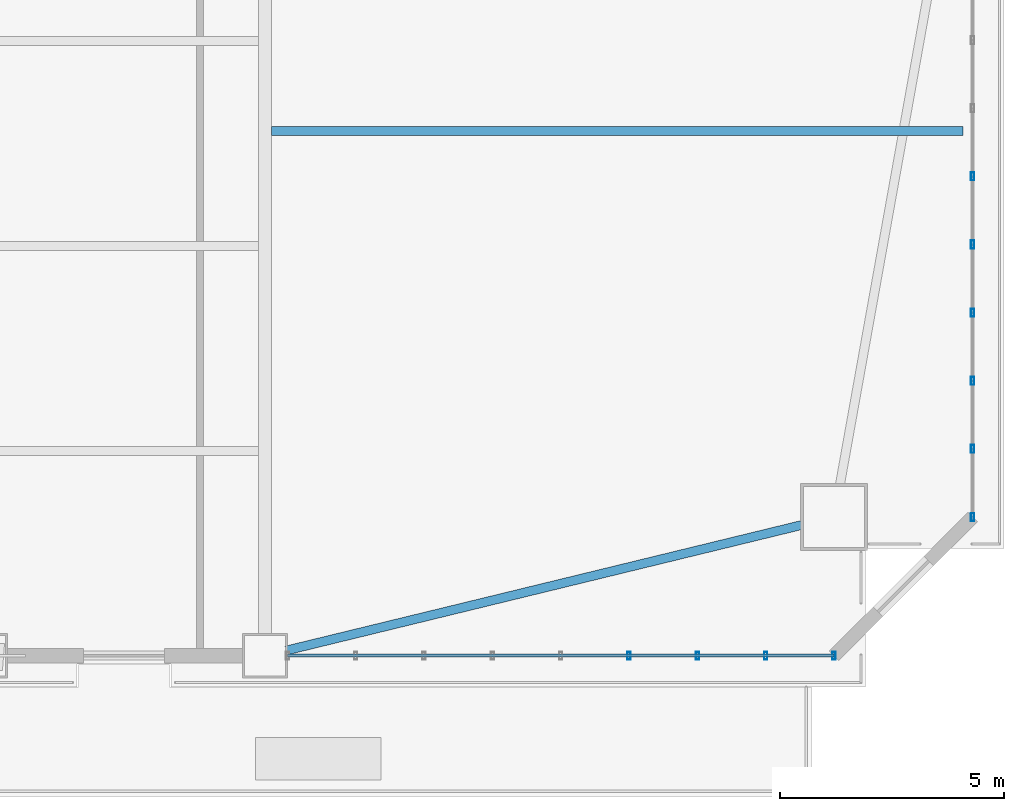
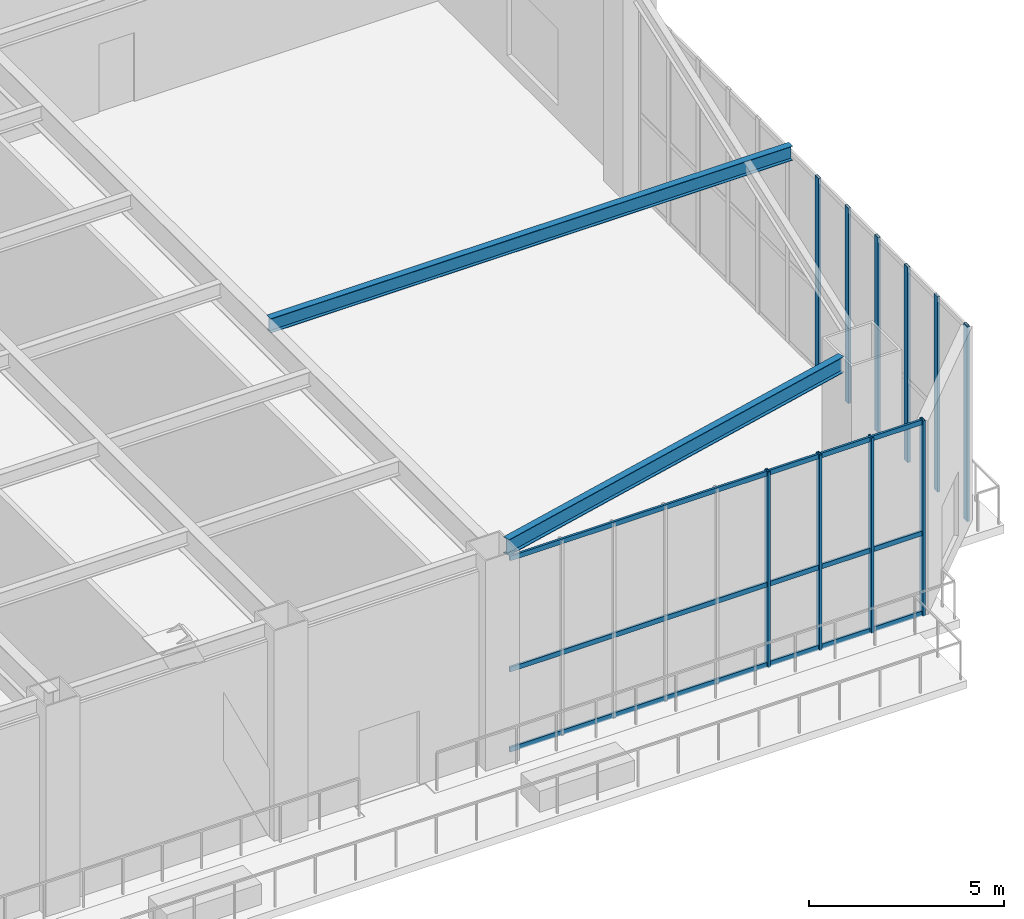
# One storey, part 8 of 22: 13 members, 2 beams, 2 elements without a shape of their own.
"""IFC4 building model written with IfcOpenShell, lengths in metres."""

from ifc_helpers import new_model, si_unit, direction, frame, origin, origin_2d, place, context, subcontext, project, spatial, hollow_rectangle, i_section, extrude, source, transform, mapped, material, layer, layer_set, material_profile, profile_set, type_object, element, aggregate, save


model = new_model("IFC4")

# Units and contexts
model_context = context("Model", 3, precision=1e-05, world=origin(), true_north=direction((0.0, 1.0)))
body_context = subcontext(model_context, "Body", "Model", "MODEL_VIEW")
ifc_project = project(units=[si_unit("LENGTHUNIT", "METRE"), si_unit("AREAUNIT", "SQUARE_METRE"), si_unit("VOLUMEUNIT", "CUBIC_METRE"), si_unit("PLANEANGLEUNIT", "RADIAN"), si_unit("MASSUNIT", "GRAM", prefix="KILO")], contexts=[model_context])

# Site, building, storey
site_placement = place(None, origin())
site = spatial("IfcSite", under=ifc_project, at=site_placement, CompositionType="ELEMENT")
building_placement = place(site_placement, origin())
building = spatial("IfcBuilding", under=site, at=building_placement, Name="Giltprow Tower", CompositionType="ELEMENT")
storey_placement = place(building_placement, frame((0.0, 0.0, 72.800048828125)))
storey = spatial("IfcBuildingStorey", under=building, at=storey_placement, Name="L18", CompositionType="ELEMENT", Elevation=72.800048828125)

# Beams
ifc_material_1 = material(Name="Structural steel Q355B", Category="steel")
ifc_material_profile_1 = material_profile(ifc_material_1, i_section(OverallWidth=0.199951171875, OverallDepth=0.5, WebThickness=0.010009765625, FlangeThickness=0.01611328125, at=origin_2d()), Name="HN 500x200x10x16")
ifc_profile_set_1 = profile_set([ifc_material_profile_1], Name="Structural steel Q355B")
beam_type_1 = type_object("IfcBeamType", Name="BM-SPAN-HN500", PredefinedType="SPANDREL", material=ifc_profile_set_1)
shared_shape_1 = source(origin(), body_context, "Body", "SweptSolid", [
    extrude(i_section(OverallWidth=0.199951171875, OverallDepth=0.5, WebThickness=0.010009765625, FlangeThickness=0.01611328125, at=origin_2d()), origin(), (0.0, 0.0, 1.0), 11.866943359375),
])
beam_1_placement = place(storey_placement, frame((51.02099609375, 5.52392578125, 6.329833984375), z_axis=(0.971618674486, 0.236552639787, 0.0), x_axis=(-0.236552639787, 0.971618674486, 0.0)))
element("IfcBeam", 1, at=beam_1_placement, inside=storey, type_object=beam_type_1, Name="L18 Perimeter Spandrel Beam S4-MC_SE", PredefinedType="SPANDREL", context=body_context, shape_type="MappedRepresentation", body=[
    mapped(shared_shape_1, transform((0.0, 0.0, 0.0), x_axis=(1.0, 0.0, 0.0), y_axis=(0.0, 1.0, 0.0), z_axis=(0.0, 0.0, 1.0), scale=1.0)),
])
ifc_material_profile_2 = material_profile(ifc_material_1, i_section(OverallWidth=0.199951171875, OverallDepth=0.449951171875, WebThickness=0.009033203125, FlangeThickness=0.013916015625, at=origin_2d()), Name="HN 450x200x9x14")
ifc_profile_set_2 = profile_set([ifc_material_profile_2], Name="Structural steel Q355B")
beam_type_2 = type_object("IfcBeamType", Name="BM-JOIST-HN450", PredefinedType="JOIST", material=ifc_profile_set_2)
shared_shape_2 = source(origin(), body_context, "Body", "SweptSolid", [
    extrude(i_section(OverallWidth=0.199951171875, OverallDepth=0.449951171875, WebThickness=0.009033203125, FlangeThickness=0.013916015625, at=origin_2d()), origin(), (0.0, 0.0, 1.0), 15.446044921875),
])
beam_2_placement = place(storey_placement, frame((50.695068359375, 17.1298828125, 6.35498046875), z_axis=(1.0, 0.0, 0.0), x_axis=(0.0, 1.0, 0.0)))
element("IfcBeam", 2, at=beam_2_placement, inside=storey, type_object=beam_type_2, Name="L18 East Wing Floor Joist 1", PredefinedType="JOIST", context=body_context, shape_type="MappedRepresentation", body=[
    mapped(shared_shape_2, transform((0.0, 0.0, 0.0), x_axis=(1.0, 0.0, 0.0), y_axis=(0.0, 1.0, 0.0), z_axis=(0.0, 0.0, 1.0), scale=1.0)),
])

# Curtain wall, members
ifc_material_2 = material(Name="Anodized bronze", Category="metal")
ifc_layer = layer(ifc_material_2, 0.179931640625, Name="Anodized bronze")
ifc_layer_set = layer_set([ifc_layer], Name="Anodized bronze")
curtain_wall_type = type_object("IfcCurtainWallType", Name="CW-SKYGARDEN", PredefinedType="NOTDEFINED", material=ifc_layer_set)
curtain_wall_1_placement = place(storey_placement, origin())
curtain_wall_1 = element("IfcCurtainWall", 3, at=curtain_wall_1_placement, inside=storey, type_object=curtain_wall_type, Name="L18 South Recessed Curtain Wall 6", PredefinedType="NOTDEFINED")
ifc_material_profile_3 = material_profile(ifc_material_2, hollow_rectangle(XDim=0.074951171875, YDim=0.179931640625, WallThickness=0.008056640625, at=origin_2d()), Name="RHS 180x75x8")
ifc_profile_set_3 = profile_set([ifc_material_profile_3], Name="Anodized bronze")
member_type_1 = type_object("IfcMemberType", Name="CW-MULLION-180x75", PredefinedType="MULLION", material=ifc_profile_set_3)
shared_shape_3 = source(origin(), body_context, "Body", "SweptSolid", [
    extrude(hollow_rectangle(XDim=0.074951171875, YDim=0.179931640625, WallThickness=0.008056640625, at=origin_2d()), origin(), (0.0, 0.0, 1.0), 6.114990234375),
])
member_1_placement = place(storey_placement, frame((58.68408203125, 5.408935546875, -0.02001953125), z_axis=(0.0, 0.0, 1.0), x_axis=(1.0, 0.0, 0.0)))
member_1 = element("IfcMember", 4, at=member_1_placement, type_object=member_type_1, Name="L18 South Recessed Curtain Wall 6 Mullion 6", PredefinedType="MULLION", context=body_context, shape_type="MappedRepresentation", body=[
    mapped(shared_shape_3, transform((0.0, 0.0, 0.0), x_axis=(1.0, 0.0, 0.0), y_axis=(0.0, 1.0, 0.0), z_axis=(0.0, 0.0, 1.0), scale=1.0)),
])
member_2_placement = place(storey_placement, frame((60.2109375, 5.408935546875, -0.02001953125), z_axis=(0.0, 0.0, 1.0), x_axis=(1.0, 0.0, 0.0)))
member_2 = element("IfcMember", 5, at=member_2_placement, type_object=member_type_1, Name="L18 South Recessed Curtain Wall 6 Mullion 7", PredefinedType="MULLION", context=body_context, shape_type="MappedRepresentation", body=[
    mapped(shared_shape_3, transform((0.0, 0.0, 0.0), x_axis=(1.0, 0.0, 0.0), y_axis=(0.0, 1.0, 0.0), z_axis=(0.0, 0.0, 1.0), scale=1.0)),
])
member_3_placement = place(storey_placement, frame((61.738037109375, 5.408935546875, -0.02001953125), z_axis=(0.0, 0.0, 1.0), x_axis=(1.0, 0.0, 0.0)))
member_3 = element("IfcMember", 6, at=member_3_placement, type_object=member_type_1, Name="L18 South Recessed Curtain Wall 6 Mullion 8", PredefinedType="MULLION", context=body_context, shape_type="MappedRepresentation", body=[
    mapped(shared_shape_3, transform((0.0, 0.0, 0.0), x_axis=(1.0, 0.0, 0.0), y_axis=(0.0, 1.0, 0.0), z_axis=(0.0, 0.0, 1.0), scale=1.0)),
])
member_4_placement = place(storey_placement, frame((63.264892578125, 5.408935546875, -0.02001953125), z_axis=(0.0, 0.0, 1.0), x_axis=(1.0, 0.0, 0.0)))
member_4 = element("IfcMember", 7, at=member_4_placement, type_object=member_type_1, Name="L18 South Recessed Curtain Wall 6 Mullion 9", PredefinedType="MULLION", context=body_context, shape_type="MappedRepresentation", body=[
    mapped(shared_shape_3, transform((0.0, 0.0, 0.0), x_axis=(1.0, 0.0, 0.0), y_axis=(0.0, 1.0, 0.0), z_axis=(0.0, 0.0, 1.0), scale=1.0)),
])

curtain_wall_2_placement = place(storey_placement, origin())
curtain_wall_2 = element("IfcCurtainWall", 8, at=curtain_wall_2_placement, inside=storey, type_object=curtain_wall_type, Name="L18 E Sky Garden Glazing", PredefinedType="NOTDEFINED")
member_5_placement = place(storey_placement, frame((66.361083984375, 8.5048828125, -0.02001953125), z_axis=(0.0, 0.0, 1.0), x_axis=(1.0, 0.0, 0.0)))
member_5 = element("IfcMember", 9, at=member_5_placement, type_object=member_type_1, Name="L18 E Sky Garden Glazing Mullion 1", PredefinedType="MULLION", context=body_context, shape_type="MappedRepresentation", body=[
    mapped(shared_shape_3, transform((0.0, 0.0, 0.0), x_axis=(1.0, 0.0, 0.0), y_axis=(0.0, 1.0, 0.0), z_axis=(0.0, 0.0, 1.0), scale=1.0)),
])
member_6_placement = place(storey_placement, frame((66.361083984375, 10.028076171875, -0.02001953125), z_axis=(0.0, 0.0, 1.0), x_axis=(1.0, 0.0, 0.0)))
member_6 = element("IfcMember", 10, at=member_6_placement, type_object=member_type_1, Name="L18 E Sky Garden Glazing Mullion 2", PredefinedType="MULLION", context=body_context, shape_type="MappedRepresentation", body=[
    mapped(shared_shape_3, transform((0.0, 0.0, 0.0), x_axis=(1.0, 0.0, 0.0), y_axis=(0.0, 1.0, 0.0), z_axis=(0.0, 0.0, 1.0), scale=1.0)),
])
member_7_placement = place(storey_placement, frame((66.361083984375, 11.550048828125, -0.02001953125), z_axis=(0.0, 0.0, 1.0), x_axis=(1.0, 0.0, 0.0)))
member_7 = element("IfcMember", 11, at=member_7_placement, type_object=member_type_1, Name="L18 E Sky Garden Glazing Mullion 3", PredefinedType="MULLION", context=body_context, shape_type="MappedRepresentation", body=[
    mapped(shared_shape_3, transform((0.0, 0.0, 0.0), x_axis=(1.0, 0.0, 0.0), y_axis=(0.0, 1.0, 0.0), z_axis=(0.0, 0.0, 1.0), scale=1.0)),
])
member_8_placement = place(storey_placement, frame((66.361083984375, 13.072998046875, -0.02001953125), z_axis=(0.0, 0.0, 1.0), x_axis=(1.0, 0.0, 0.0)))
member_8 = element("IfcMember", 12, at=member_8_placement, type_object=member_type_1, Name="L18 E Sky Garden Glazing Mullion 4", PredefinedType="MULLION", context=body_context, shape_type="MappedRepresentation", body=[
    mapped(shared_shape_3, transform((0.0, 0.0, 0.0), x_axis=(1.0, 0.0, 0.0), y_axis=(0.0, 1.0, 0.0), z_axis=(0.0, 0.0, 1.0), scale=1.0)),
])
member_9_placement = place(storey_placement, frame((66.361083984375, 14.595947265625, -0.02001953125), z_axis=(0.0, 0.0, 1.0), x_axis=(1.0, 0.0, 0.0)))
member_9 = element("IfcMember", 13, at=member_9_placement, type_object=member_type_1, Name="L18 E Sky Garden Glazing Mullion 5", PredefinedType="MULLION", context=body_context, shape_type="MappedRepresentation", body=[
    mapped(shared_shape_3, transform((0.0, 0.0, 0.0), x_axis=(1.0, 0.0, 0.0), y_axis=(0.0, 1.0, 0.0), z_axis=(0.0, 0.0, 1.0), scale=1.0)),
])
member_10_placement = place(storey_placement, frame((66.361083984375, 16.118896484375, -0.02001953125), z_axis=(0.0, 0.0, 1.0), x_axis=(1.0, 0.0, 0.0)))
member_10 = element("IfcMember", 14, at=member_10_placement, type_object=member_type_1, Name="L18 E Sky Garden Glazing Mullion 6", PredefinedType="MULLION", context=body_context, shape_type="MappedRepresentation", body=[
    mapped(shared_shape_3, transform((0.0, 0.0, 0.0), x_axis=(1.0, 0.0, 0.0), y_axis=(0.0, 1.0, 0.0), z_axis=(0.0, 0.0, 1.0), scale=1.0)),
])
aggregate(curtain_wall_2, [member_5, member_6, member_7, member_8, member_9, member_10])

# Member
ifc_material_profile_4 = material_profile(ifc_material_2, hollow_rectangle(XDim=0.06494140625, YDim=0.14990234375, WallThickness=0.006103515625, at=origin_2d()), Name="RHS 150x65x6")
ifc_profile_set_4 = profile_set([ifc_material_profile_4], Name="Anodized bronze")
member_type_2 = type_object("IfcMemberType", Name="CW-TRANSOM-150x65", PredefinedType="USERDEFINED", material=ifc_profile_set_4)
shared_shape_4 = source(origin(), body_context, "Body", "SweptSolid", [
    extrude(hollow_rectangle(XDim=0.06494140625, YDim=0.14990234375, WallThickness=0.006103515625, at=origin_2d()), origin(), (0.0, 0.0, 1.0), 12.21484375),
])
member_11_placement = place(storey_placement, frame((51.050048828125, 5.408935546875, 0.0400390625), z_axis=(1.0, 0.0, 0.0), x_axis=(0.0, 1.0, 0.0)))
member_11 = element("IfcMember", 15, at=member_11_placement, type_object=member_type_2, Name="L18 South Recessed Curtain Wall 6 Transom 1", ObjectType="TRANSOM", PredefinedType="USERDEFINED", context=body_context, shape_type="MappedRepresentation", body=[
    mapped(shared_shape_4, transform((0.0, 0.0, 0.0), x_axis=(1.0, 0.0, 0.0), y_axis=(0.0, 1.0, 0.0), z_axis=(0.0, 0.0, 1.0), scale=1.0)),
])

member_12_placement = place(storey_placement, frame((51.050048828125, 5.408935546875, 2.544921875), z_axis=(1.0, 0.0, 0.0), x_axis=(0.0, 1.0, 0.0)))
member_12 = element("IfcMember", 16, at=member_12_placement, type_object=member_type_2, Name="L18 South Recessed Curtain Wall 6 Transom 2", ObjectType="TRANSOM", PredefinedType="USERDEFINED", context=body_context, shape_type="MappedRepresentation", body=[
    mapped(shared_shape_4, transform((0.0, 0.0, 0.0), x_axis=(1.0, 0.0, 0.0), y_axis=(0.0, 1.0, 0.0), z_axis=(0.0, 0.0, 1.0), scale=1.0)),
])

member_13_placement = place(storey_placement, frame((51.050048828125, 5.408935546875, 6.02001953125), z_axis=(1.0, 0.0, 0.0), x_axis=(0.0, 1.0, 0.0)))
member_13 = element("IfcMember", 17, at=member_13_placement, type_object=member_type_2, Name="L18 South Recessed Curtain Wall 6 Transom 3", ObjectType="TRANSOM", PredefinedType="USERDEFINED", context=body_context, shape_type="MappedRepresentation", body=[
    mapped(shared_shape_4, transform((0.0, 0.0, 0.0), x_axis=(1.0, 0.0, 0.0), y_axis=(0.0, 1.0, 0.0), z_axis=(0.0, 0.0, 1.0), scale=1.0)),
])

aggregate(curtain_wall_1, [member_1, member_2, member_3, member_4, member_11, member_12, member_13])

save(model, "model.ifc")
